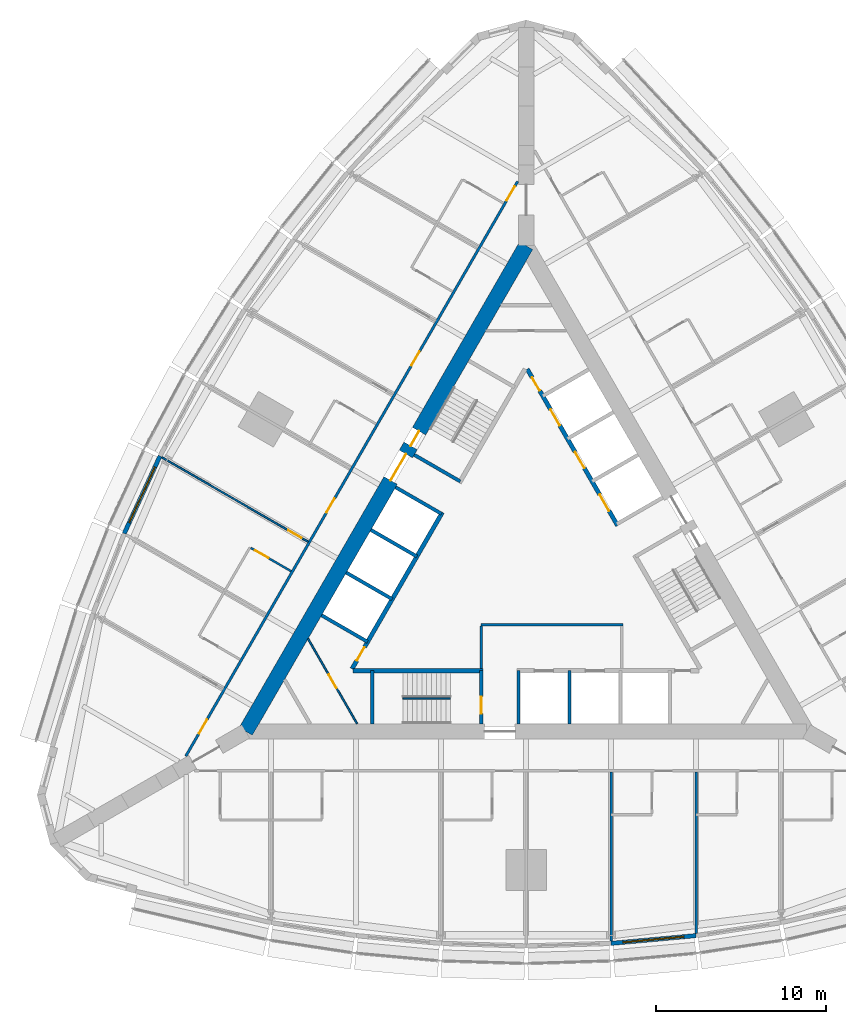
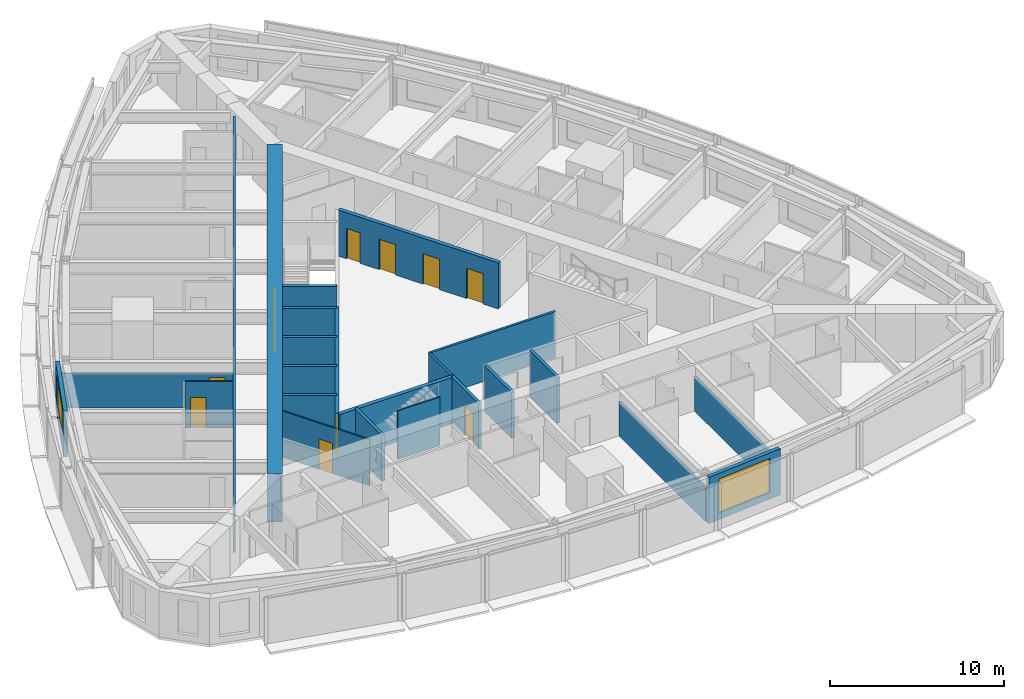
# One storey, part 9 of 14: 24 walls, 15 doors, 2 windows, 17 openings.
"""IFC4 building model written with IfcOpenShell, lengths in metres."""

from ifc_helpers import new_model, si_unit, direction, frame, frame_2d, origin, place, context, subcontext, project, spatial, rectangle, extrude, material, layer, layer_set, type_object, element, fill, save


model = new_model("IFC4")

# Units and contexts
model_context = context("Model", 3, precision=1e-05, world=origin(), true_north=direction((0.0, 1.0)))
body_context = subcontext(model_context, "Body", "Model", "MODEL_VIEW")
ifc_project = project(units=[si_unit("LENGTHUNIT", "METRE"), si_unit("AREAUNIT", "SQUARE_METRE"), si_unit("VOLUMEUNIT", "CUBIC_METRE"), si_unit("PLANEANGLEUNIT", "RADIAN"), si_unit("MASSUNIT", "GRAM", prefix="KILO")], contexts=[model_context])

# Site, building, storey
site_placement = place(None, origin())
site = spatial("IfcSite", under=ifc_project, at=site_placement, CompositionType="ELEMENT")
building_placement = place(site_placement, origin())
building = spatial("IfcBuilding", under=site, at=building_placement, Name="Trikona Tower", CompositionType="ELEMENT")
storey_placement = place(building_placement, frame((0.0, 0.0, 86.300048828125)))
storey = spatial("IfcBuildingStorey", under=building, at=storey_placement, Name="L22", CompositionType="ELEMENT", Elevation=86.300048828125)

# Wall, opening, door
ifc_material_1 = material(Name="Metal stud and cement board", Category="gypsum")
ifc_layer_1 = layer(ifc_material_1, 0.1201171875)
ifc_layer_set_1 = layer_set([ifc_layer_1], Name="Bathroom wall 120")
wall_type_1 = type_object("IfcWallType", Name="Bathroom wall 120", PredefinedType="PLUMBINGWALL", material=ifc_layer_set_1)
wall_1_placement = place(storey_placement, frame((-13.82861328125, -0.09912109375, 0.0), z_axis=(0.0, 0.0, 1.0), x_axis=(-0.865997131366, 0.500048966069, 0.0)))
wall_1 = element("IfcWall", 1, at=wall_1_placement, inside=storey, type_object=wall_type_1, Name="Bathroom wall 2215.1", PredefinedType="PLUMBINGWALL", context=body_context, shape_type="SweptSolid", body=[
    extrude(rectangle(XDim=2.739990234375, YDim=0.1201171875, at=frame_2d((1.3701171875, 0.0))), origin(), (0.0, 0.0, 1.0), 3.23486328125),
])
opening_1_placement = place(wall_1_placement, frame((1.550048828125, 0.0, 0.0)))
opening_1 = element("IfcOpeningElement", 2, at=opening_1_placement, cuts=wall_1, Name="Opening D2", PredefinedType="OPENING", context=body_context, shape_type="SweptSolid", body=[
    extrude(rectangle(XDim=0.89990234375, YDim=2.1298828125, at=frame_2d((0.449951171875, 1.06494140625))), frame((0.0, 0.070068359375, 0.0), z_axis=(0.0, -1.0, 0.0), x_axis=(1.0, 0.0, 0.0)), (0.0, 0.0, 1.0), 0.14013671875),
])
ifc_material_2 = material(Name="Steel door frame with solid-core timber leaf", Category="steel")
door_type_1 = type_object("IfcDoorType", Name="Bathroom door 900x2130", OperationType="SLIDING_TO_LEFT", PredefinedType="DOOR", material=ifc_material_2)
door_1_placement = place(opening_1_placement, origin())
door_1 = element("IfcDoor", 3, at=door_1_placement, inside=storey, type_object=door_type_1, Name="Bathroom door 2215.1", OperationType="SLIDING_TO_LEFT", OverallHeight=2.1298828125, OverallWidth=0.89990234375, PredefinedType="DOOR", context=body_context, shape_type="SweptSolid", body=[
    extrude(rectangle(XDim=0.89990234375, YDim=2.1298828125, at=frame_2d((0.449951171875, 1.06494140625))), frame((0.0, 0.02490234375, 0.0), z_axis=(0.0, -1.0, 0.0), x_axis=(1.0, 0.0, 0.0)), (0.0, 0.0, 1.0), 0.050048828125),
])
fill(opening_1, door_1)

# Wall, openings, doors
ifc_material_3 = material(Name="Concrete f'c 10000 psi", Category="concrete")
ifc_layer_2 = layer(ifc_material_3, 0.89990234375)
ifc_layer_set_2 = layer_set([ifc_layer_2], Name="Core wall 900")
wall_type_2 = type_object("IfcWallType", Name="Core wall 900", PredefinedType="SHEAR", material=ifc_layer_set_2)
wall_2_placement = place(storey_placement, frame((0.0, 19.052490234375, 0.0), z_axis=(0.0, 0.0, 1.0), x_axis=(-0.499999749417, -0.866025548458, 0.0)))
wall_2 = element("IfcWall", 4, at=wall_2_placement, inside=storey, type_object=wall_type_2, Name="Core wall C", PredefinedType="SHEAR", context=body_context, shape_type="SweptSolid", body=[
    extrude(rectangle(XDim=33.0, YDim=0.89990234375, at=frame_2d((16.5, 0.0))), origin(), (0.0, 0.0, 1.0), 3.39990234375),
])
opening_2_placement = place(wall_2_placement, frame((14.14990234375, 0.0, 0.0)))
opening_2 = element("IfcOpeningElement", 5, at=opening_2_placement, cuts=wall_2, Name="Opening D6", PredefinedType="OPENING", context=body_context, shape_type="SweptSolid", body=[
    extrude(rectangle(XDim=1.800048828125, YDim=2.1298828125, at=frame_2d((0.89990234375, 1.06494140625))), frame((0.0, 0.4599609375, 0.0), z_axis=(0.0, -1.0, 0.0), x_axis=(1.0, 0.0, 0.0)), (0.0, 0.0, 1.0), 0.919921875),
])
opening_3_placement = place(wall_2_placement, frame((12.60009765625, 0.0, 0.0)))
opening_3 = element("IfcOpeningElement", 6, at=opening_3_placement, cuts=wall_2, Name="Opening D5", PredefinedType="OPENING", context=body_context, shape_type="SweptSolid", body=[
    extrude(rectangle(XDim=1.0, YDim=2.1298828125, at=frame_2d((0.5, 1.06494140625))), frame((0.0, 0.4599609375, 0.0), z_axis=(0.0, -1.0, 0.0), x_axis=(1.0, 0.0, 0.0)), (0.0, 0.0, 1.0), 0.919921875),
])
ifc_material_4 = material(Name="Hollow metal door and frame", Category="steel")
door_type_2 = type_object("IfcDoorType", Name="Lobby door pair 1800x2130", OperationType="DOUBLE_DOOR_SINGLE_SWING", PredefinedType="DOOR", material=ifc_material_4)
door_2_placement = place(opening_2_placement, origin())
door_2 = element("IfcDoor", 7, at=door_2_placement, inside=storey, type_object=door_type_2, Name="Lift lobby door C", OperationType="DOUBLE_DOOR_SINGLE_SWING", OverallHeight=2.1298828125, OverallWidth=1.800048828125, PredefinedType="DOOR", context=body_context, shape_type="SweptSolid", body=[
    extrude(rectangle(XDim=1.800048828125, YDim=2.1298828125, at=frame_2d((0.89990234375, 1.06494140625))), frame((0.0, 0.02490234375, 0.0), z_axis=(0.0, -1.0, 0.0), x_axis=(1.0, 0.0, 0.0)), (0.0, 0.0, 1.0), 0.050048828125),
])
fill(opening_2, door_2)
ifc_material_5 = material(Name="Hollow metal door and frame", Category="steel")
door_type_3 = type_object("IfcDoorType", Name="Stair door 1000x2130", OperationType="SINGLE_SWING_LEFT", PredefinedType="DOOR", material=ifc_material_5)
door_3_placement = place(opening_3_placement, origin())
door_3 = element("IfcDoor", 8, at=door_3_placement, inside=storey, type_object=door_type_3, Name="Stair C door", OperationType="SINGLE_SWING_RIGHT", OverallHeight=2.1298828125, OverallWidth=1.0, PredefinedType="DOOR", context=body_context, shape_type="SweptSolid", body=[
    extrude(rectangle(XDim=1.0, YDim=2.1298828125, at=frame_2d((0.5, 1.06494140625))), frame((0.0, 0.02490234375, 0.0), z_axis=(0.0, -1.0, 0.0), x_axis=(1.0, 0.0, 0.0)), (0.0, 0.0, 1.0), 0.050048828125),
])
fill(opening_3, door_3)

ifc_material_6 = material(Name="Metal stud and gypsum board, 1-hour", Category="gypsum")
ifc_layer_3 = layer(ifc_material_6, 0.14990234375)
ifc_layer_set_3 = layer_set([ifc_layer_3], Name="Corridor wall 150")
wall_type_3 = type_object("IfcWallType", Name="Corridor wall 150", PredefinedType="PARTITIONING", material=ifc_layer_set_3)
wall_3_placement = place(storey_placement, frame((-0.5, 22.83642578125, 0.0), z_axis=(0.0, 0.0, 1.0), x_axis=(-0.500001677587, -0.866024435227, 0.0)))
wall_3 = element("IfcWall", 9, at=wall_3_placement, inside=storey, type_object=wall_type_3, Name="Corridor wall L22-3", PredefinedType="PARTITIONING", context=body_context, shape_type="SweptSolid", body=[
    extrude(rectangle(XDim=39.053955078125, YDim=0.14990234375, at=frame_2d((19.52685546875, 0.0))), origin(), (0.0, 0.0, 1.0), 3.23486328125),
])
opening_4_placement = place(wall_3_placement, frame((0.35205078125, 0.0, 0.0)))
opening_4 = element("IfcOpeningElement", 10, at=opening_4_placement, cuts=wall_3, Name="Opening D1", PredefinedType="OPENING", context=body_context, shape_type="SweptSolid", body=[
    extrude(rectangle(XDim=0.949951171875, YDim=2.1298828125, at=frame_2d((0.47509765625, 1.06494140625))), frame((0.0, 0.0849609375, 0.0), z_axis=(0.0, -1.0, 0.0), x_axis=(1.0, 0.0, 0.0)), (0.0, 0.0, 1.0), 0.169921875),
])
opening_5_placement = place(wall_3_placement, frame((11.552001953125, 0.0, 0.0)))
opening_5 = element("IfcOpeningElement", 11, at=opening_5_placement, cuts=wall_3, Name="Opening D1", PredefinedType="OPENING", context=body_context, shape_type="SweptSolid", body=[
    extrude(rectangle(XDim=0.949951171875, YDim=2.1298828125, at=frame_2d((0.47509765625, 1.06494140625))), frame((0.0, 0.0849609375, 0.0), z_axis=(0.0, -1.0, 0.0), x_axis=(1.0, 0.0, 0.0)), (0.0, 0.0, 1.0), 0.169921875),
])
opening_6_placement = place(wall_3_placement, frame((21.552001953125, 0.0, 0.0)))
opening_6 = element("IfcOpeningElement", 12, at=opening_6_placement, cuts=wall_3, Name="Opening D1", PredefinedType="OPENING", context=body_context, shape_type="SweptSolid", body=[
    extrude(rectangle(XDim=0.949951171875, YDim=2.1298828125, at=frame_2d((0.47509765625, 1.06494140625))), frame((0.0, 0.0849609375, 0.0), z_axis=(0.0, -1.0, 0.0), x_axis=(1.0, 0.0, 0.0)), (0.0, 0.0, 1.0), 0.169921875),
])
opening_7_placement = place(wall_3_placement, frame((36.545654296875, 0.0, 0.0)))
opening_7 = element("IfcOpeningElement", 13, at=opening_7_placement, cuts=wall_3, Name="Opening D1", PredefinedType="OPENING", context=body_context, shape_type="SweptSolid", body=[
    extrude(rectangle(XDim=0.949951171875, YDim=2.1298828125, at=frame_2d((0.47509765625, 1.06494140625))), frame((0.0, 0.0849609375, 0.0), z_axis=(0.0, -1.0, 0.0), x_axis=(1.0, 0.0, 0.0)), (0.0, 0.0, 1.0), 0.169921875),
])
ifc_material_7 = material(Name="Steel door frame with solid-core timber leaf", Category="steel")
door_type_4 = type_object("IfcDoorType", Name="Guest room door 950x2130", OperationType="SINGLE_SWING_LEFT", PredefinedType="DOOR", material=ifc_material_7)
door_4_placement = place(opening_4_placement, origin())
door_4 = element("IfcDoor", 14, at=door_4_placement, inside=storey, type_object=door_type_4, Name="Room door 2213", OperationType="SINGLE_SWING_LEFT", OverallHeight=2.1298828125, OverallWidth=0.949951171875, PredefinedType="DOOR", context=body_context, shape_type="SweptSolid", body=[
    extrude(rectangle(XDim=0.949951171875, YDim=2.1298828125, at=frame_2d((0.47509765625, 1.06494140625))), frame((0.0, 0.02490234375, 0.0), z_axis=(0.0, -1.0, 0.0), x_axis=(1.0, 0.0, 0.0)), (0.0, 0.0, 1.0), 0.050048828125),
])
fill(opening_4, door_4)
door_5_placement = place(opening_5_placement, origin())
door_5 = element("IfcDoor", 15, at=door_5_placement, inside=storey, type_object=door_type_4, Name="Room door 2214", OperationType="SINGLE_SWING_RIGHT", OverallHeight=2.1298828125, OverallWidth=0.949951171875, PredefinedType="DOOR", context=body_context, shape_type="SweptSolid", body=[
    extrude(rectangle(XDim=0.949951171875, YDim=2.1298828125, at=frame_2d((0.47509765625, 1.06494140625))), frame((0.0, 0.02490234375, 0.0), z_axis=(0.0, -1.0, 0.0), x_axis=(1.0, 0.0, 0.0)), (0.0, 0.0, 1.0), 0.050048828125),
])
fill(opening_5, door_5)
door_6_placement = place(opening_6_placement, origin())
door_6 = element("IfcDoor", 16, at=door_6_placement, inside=storey, type_object=door_type_4, Name="Room door 2215", OperationType="SINGLE_SWING_LEFT", OverallHeight=2.1298828125, OverallWidth=0.949951171875, PredefinedType="DOOR", context=body_context, shape_type="SweptSolid", body=[
    extrude(rectangle(XDim=0.949951171875, YDim=2.1298828125, at=frame_2d((0.47509765625, 1.06494140625))), frame((0.0, 0.02490234375, 0.0), z_axis=(0.0, -1.0, 0.0), x_axis=(1.0, 0.0, 0.0)), (0.0, 0.0, 1.0), 0.050048828125),
])
fill(opening_6, door_6)
door_7_placement = place(opening_7_placement, origin())
door_7 = element("IfcDoor", 17, at=door_7_placement, inside=storey, type_object=door_type_4, Name="Room door 2216", OperationType="SINGLE_SWING_RIGHT", OverallHeight=2.1298828125, OverallWidth=0.949951171875, PredefinedType="DOOR", context=body_context, shape_type="SweptSolid", body=[
    extrude(rectangle(XDim=0.949951171875, YDim=2.1298828125, at=frame_2d((0.47509765625, 1.06494140625))), frame((0.0, 0.02490234375, 0.0), z_axis=(0.0, -1.0, 0.0), x_axis=(1.0, 0.0, 0.0)), (0.0, 0.0, 1.0), 0.050048828125),
])
fill(opening_7, door_7)

# Wall
ifc_material_8 = material(Name="Concrete f'c 8000 psi", Category="concrete")
ifc_layer_4 = layer(ifc_material_8, 0.25)
ifc_layer_set_4 = layer_set([ifc_layer_4], Name="Hub wall 250")
wall_type_4 = type_object("IfcWallType", Name="Hub wall 250", PredefinedType="SOLIDWALL", material=ifc_layer_set_4)
wall_4_placement = place(storey_placement, frame((-10.182861328125, -5.951416015625, 0.0), z_axis=(0.0, 0.0, 1.0), x_axis=(1.0, 0.0, 0.0)))
element("IfcWall", 18, at=wall_4_placement, inside=storey, type_object=wall_type_4, Name="Lift lobby wall A1", PredefinedType="SOLIDWALL", context=body_context, shape_type="SweptSolid", body=[
    extrude(rectangle(XDim=7.6328125, YDim=0.25, at=frame_2d((3.81640625, 0.0))), origin(), (0.0, 0.0, 1.0), 3.23486328125),
])

# Wall, openings, doors
wall_5_placement = place(storey_placement, frame((5.37890625, 2.5859375, 0.0), z_axis=(0.0, 0.0, 1.0), x_axis=(-0.500001375892, 0.866024609411, 0.0)))
wall_5 = element("IfcWall", 19, at=wall_5_placement, inside=storey, type_object=wall_type_4, Name="Lift lobby wall B2", PredefinedType="SOLIDWALL", context=body_context, shape_type="SweptSolid", body=[
    extrude(rectangle(XDim=10.6328125, YDim=0.25, at=frame_2d((5.31640625, 0.0))), origin(), (0.0, 0.0, 1.0), 3.23486328125),
])
opening_8_placement = place(wall_5_placement, frame((9.1640625, 0.0, 0.0)))
opening_8 = element("IfcOpeningElement", 20, at=opening_8_placement, cuts=wall_5, Name="Opening D14", PredefinedType="OPENING", context=body_context, shape_type="SweptSolid", body=[
    extrude(rectangle(XDim=0.89990234375, YDim=2.1298828125, at=frame_2d((0.449951171875, 1.06494140625))), frame((0.0, 0.135009765625, 0.0), z_axis=(0.0, -1.0, 0.0), x_axis=(1.0, 0.0, 0.0)), (0.0, 0.0, 1.0), 0.27001953125),
])
opening_9_placement = place(wall_5_placement, frame((1.0, 0.0, 0.0)))
opening_9 = element("IfcOpeningElement", 21, at=opening_9_placement, cuts=wall_5, Name="Opening LD", PredefinedType="OPENING", context=body_context, shape_type="SweptSolid", body=[
    extrude(rectangle(XDim=1.10009765625, YDim=2.1298828125, at=frame_2d((0.550048828125, 1.06494140625))), frame((0.0, 0.135009765625, 0.0), z_axis=(0.0, -1.0, 0.0), x_axis=(1.0, 0.0, 0.0)), (0.0, 0.0, 1.0), 0.27001953125),
])
opening_10_placement = place(wall_5_placement, frame((3.89990234375, 0.0, 0.0)))
opening_10 = element("IfcOpeningElement", 22, at=opening_10_placement, cuts=wall_5, Name="Opening LD", PredefinedType="OPENING", context=body_context, shape_type="SweptSolid", body=[
    extrude(rectangle(XDim=1.10009765625, YDim=2.1298828125, at=frame_2d((0.550048828125, 1.06494140625))), frame((0.0, 0.135009765625, 0.0), z_axis=(0.0, -1.0, 0.0), x_axis=(1.0, 0.0, 0.0)), (0.0, 0.0, 1.0), 0.27001953125),
])
opening_11_placement = place(wall_5_placement, frame((6.800048828125, 0.0, 0.0)))
opening_11 = element("IfcOpeningElement", 23, at=opening_11_placement, cuts=wall_5, Name="Opening LD", PredefinedType="OPENING", context=body_context, shape_type="SweptSolid", body=[
    extrude(rectangle(XDim=1.10009765625, YDim=2.1298828125, at=frame_2d((0.550048828125, 1.06494140625))), frame((0.0, 0.135009765625, 0.0), z_axis=(0.0, -1.0, 0.0), x_axis=(1.0, 0.0, 0.0)), (0.0, 0.0, 1.0), 0.27001953125),
])
ifc_material_9 = material(Name="Stainless steel lift landing door", Category="steel")
door_type_5 = type_object("IfcDoorType", Name="Lift landing door 1100x2130", OperationType="DOUBLE_DOOR_SLIDING", PredefinedType="USERDEFINED", material=ifc_material_9)
door_8_placement = place(opening_9_placement, origin())
door_8 = element("IfcDoor", 24, at=door_8_placement, inside=storey, type_object=door_type_5, Name="Lift landing door L1-1", ObjectType="LIFT LANDING DOOR", OperationType="DOUBLE_DOOR_SLIDING", OverallHeight=2.1298828125, OverallWidth=1.10009765625, PredefinedType="USERDEFINED", context=body_context, shape_type="SweptSolid", body=[
    extrude(rectangle(XDim=1.10009765625, YDim=2.1298828125, at=frame_2d((0.550048828125, 1.06494140625))), frame((0.0, 0.02490234375, 0.0), z_axis=(0.0, -1.0, 0.0), x_axis=(1.0, 0.0, 0.0)), (0.0, 0.0, 1.0), 0.050048828125),
])
fill(opening_9, door_8)
door_9_placement = place(opening_10_placement, origin())
door_9 = element("IfcDoor", 25, at=door_9_placement, inside=storey, type_object=door_type_5, Name="Lift landing door L1-2", ObjectType="LIFT LANDING DOOR", OperationType="DOUBLE_DOOR_SLIDING", OverallHeight=2.1298828125, OverallWidth=1.10009765625, PredefinedType="USERDEFINED", context=body_context, shape_type="SweptSolid", body=[
    extrude(rectangle(XDim=1.10009765625, YDim=2.1298828125, at=frame_2d((0.550048828125, 1.06494140625))), frame((0.0, 0.02490234375, 0.0), z_axis=(0.0, -1.0, 0.0), x_axis=(1.0, 0.0, 0.0)), (0.0, 0.0, 1.0), 0.050048828125),
])
fill(opening_10, door_9)
door_10_placement = place(opening_11_placement, origin())
door_10 = element("IfcDoor", 26, at=door_10_placement, inside=storey, type_object=door_type_5, Name="Lift landing door L1-3", ObjectType="LIFT LANDING DOOR", OperationType="DOUBLE_DOOR_SLIDING", OverallHeight=2.1298828125, OverallWidth=1.10009765625, PredefinedType="USERDEFINED", context=body_context, shape_type="SweptSolid", body=[
    extrude(rectangle(XDim=1.10009765625, YDim=2.1298828125, at=frame_2d((0.550048828125, 1.06494140625))), frame((0.0, 0.02490234375, 0.0), z_axis=(0.0, -1.0, 0.0), x_axis=(1.0, 0.0, 0.0)), (0.0, 0.0, 1.0), 0.050048828125),
])
fill(opening_11, door_10)
ifc_material_10 = material(Name="Hollow metal door and frame", Category="steel")
door_type_6 = type_object("IfcDoorType", Name="Service room door 900x2130", OperationType="SINGLE_SWING_LEFT", PredefinedType="DOOR", material=ifc_material_10)
door_11_placement = place(opening_8_placement, origin())
door_11 = element("IfcDoor", 27, at=door_11_placement, inside=storey, type_object=door_type_6, Name="Door Linen store LIN", OperationType="SINGLE_SWING_RIGHT", OverallHeight=2.1298828125, OverallWidth=0.89990234375, PredefinedType="DOOR", context=body_context, shape_type="SweptSolid", body=[
    extrude(rectangle(XDim=0.89990234375, YDim=2.1298828125, at=frame_2d((0.449951171875, 1.06494140625))), frame((0.0, 0.02490234375, 0.0), z_axis=(0.0, -1.0, 0.0), x_axis=(1.0, 0.0, 0.0)), (0.0, 0.0, 1.0), 0.050048828125),
])
fill(opening_8, door_11)

# Wall, opening, door
wall_6_placement = place(storey_placement, frame((-4.928955078125, 3.365478515625, 0.0), z_axis=(0.0, 0.0, 1.0), x_axis=(-0.499991433582, -0.866030349552, 0.0)))
wall_6 = element("IfcWall", 28, at=wall_6_placement, inside=storey, type_object=wall_type_4, Name="Lift lobby wall C2", PredefinedType="SOLIDWALL", context=body_context, shape_type="SweptSolid", body=[
    extrude(rectangle(XDim=10.633056640625, YDim=0.25, at=frame_2d((5.31640625, 0.0))), origin(), (0.0, 0.0, 1.0), 3.23486328125),
])
opening_12_placement = place(wall_6_placement, frame((9.1640625, 0.0, 0.0)))
opening_12 = element("IfcOpeningElement", 29, at=opening_12_placement, cuts=wall_6, Name="Opening D14", PredefinedType="OPENING", context=body_context, shape_type="SweptSolid", body=[
    extrude(rectangle(XDim=0.89990234375, YDim=2.1298828125, at=frame_2d((0.449951171875, 1.06494140625))), frame((0.0, 0.135009765625, 0.0), z_axis=(0.0, -1.0, 0.0), x_axis=(1.0, 0.0, 0.0)), (0.0, 0.0, 1.0), 0.27001953125),
])
door_12_placement = place(opening_12_placement, origin())
door_12 = element("IfcDoor", 30, at=door_12_placement, inside=storey, type_object=door_type_6, Name="Door Ice and vending ICE", OperationType="SINGLE_SWING_RIGHT", OverallHeight=2.1298828125, OverallWidth=0.89990234375, PredefinedType="DOOR", context=body_context, shape_type="SweptSolid", body=[
    extrude(rectangle(XDim=0.89990234375, YDim=2.1298828125, at=frame_2d((0.449951171875, 1.06494140625))), frame((0.0, 0.02490234375, 0.0), z_axis=(0.0, -1.0, 0.0), x_axis=(1.0, 0.0, 0.0)), (0.0, 0.0, 1.0), 0.050048828125),
])
fill(opening_12, door_12)

# Wall, opening, window
ifc_material_11 = material(Name="Insulated precast concrete spandrel panel", Category="concrete")
ifc_layer_5 = layer(ifc_material_11, 0.25)
ifc_layer_set_5 = layer_set([ifc_layer_5], Name="Inner skin wall 250")
wall_type_5 = type_object("IfcWallType", Name="Inner skin wall 250", PredefinedType="STANDARD", material=ifc_layer_set_5)
wall_7_placement = place(storey_placement, frame((4.988525390625, -21.995849609375, 0.0), z_axis=(0.0, 0.0, 1.0), x_axis=(0.995857256774, 0.090930325692, 0.0)))
wall_7 = element("IfcWall", 31, at=wall_7_placement, inside=storey, type_object=wall_type_5, Name="External wall L22-05", PredefinedType="STANDARD", context=body_context, shape_type="SweptSolid", body=[
    extrude(rectangle(XDim=5.020751953125, YDim=0.25, at=frame_2d((2.51025390625, 0.0))), origin(), (0.0, 0.0, 1.0), 3.23486328125),
])
opening_13_placement = place(wall_7_placement, frame((0.71044921875, 0.0, 0.449951171875)))
opening_13 = element("IfcOpeningElement", 32, at=opening_13_placement, cuts=wall_7, Name="Opening W3624", PredefinedType="OPENING", context=body_context, shape_type="SweptSolid", body=[
    extrude(rectangle(XDim=3.60009765625, YDim=2.39990234375, at=frame_2d((1.800048828125, 1.199951171875))), frame((0.0, 0.135009765625, 0.0), z_axis=(0.0, -1.0, 0.0), x_axis=(1.0, 0.0, 0.0)), (0.0, 0.0, 1.0), 0.27001953125),
])
ifc_material_12 = material(Name="Aluminium-framed double glazing", Category="aluminium")
window_type = type_object("IfcWindowType", Name="Window 3600x2400", PartitioningType="SINGLE_PANEL", PredefinedType="WINDOW", material=ifc_material_12)
window_1_placement = place(opening_13_placement, origin())
window_1 = element("IfcWindow", 33, at=window_1_placement, inside=storey, type_object=window_type, Name="Window 2204", OverallHeight=2.39990234375, OverallWidth=3.60009765625, PartitioningType="SINGLE_PANEL", PredefinedType="WINDOW", context=body_context, shape_type="SweptSolid", body=[
    extrude(rectangle(XDim=3.60009765625, YDim=2.39990234375, at=frame_2d((1.800048828125, 1.199951171875))), frame((0.0, 0.030029296875, 0.0), z_axis=(0.0, -1.0, 0.0), x_axis=(1.0, 0.0, 0.0)), (0.0, 0.0, 1.0), 0.06005859375),
])
fill(opening_13, window_1)

wall_8_placement = place(storey_placement, frame((-21.543212890625, 6.677734375, 0.0), z_axis=(0.0, 0.0, 1.0), x_axis=(-0.419203100754, -0.907892482796, 0.0)))
wall_8 = element("IfcWall", 34, at=wall_8_placement, inside=storey, type_object=wall_type_5, Name="External wall L22-29", PredefinedType="STANDARD", context=body_context, shape_type="SweptSolid", body=[
    extrude(rectangle(XDim=5.020751953125, YDim=0.25, at=frame_2d((2.51025390625, 0.0))), origin(), (0.0, 0.0, 1.0), 3.23486328125),
])
opening_14_placement = place(wall_8_placement, frame((0.71044921875, 0.0, 0.449951171875)))
opening_14 = element("IfcOpeningElement", 35, at=opening_14_placement, cuts=wall_8, Name="Opening W3624", PredefinedType="OPENING", context=body_context, shape_type="SweptSolid", body=[
    extrude(rectangle(XDim=3.60009765625, YDim=2.39990234375, at=frame_2d((1.800048828125, 1.199951171875))), frame((0.0, 0.135009765625, 0.0), z_axis=(0.0, -1.0, 0.0), x_axis=(1.0, 0.0, 0.0)), (0.0, 0.0, 1.0), 0.27001953125),
])
window_2_placement = place(opening_14_placement, origin())
window_2 = element("IfcWindow", 36, at=window_2_placement, inside=storey, type_object=window_type, Name="Window 2215.1", OverallHeight=2.39990234375, OverallWidth=3.60009765625, PartitioningType="SINGLE_PANEL", PredefinedType="WINDOW", context=body_context, shape_type="SweptSolid", body=[
    extrude(rectangle(XDim=3.60009765625, YDim=2.39990234375, at=frame_2d((1.800048828125, 1.199951171875))), frame((0.0, 0.030029296875, 0.0), z_axis=(0.0, -1.0, 0.0), x_axis=(1.0, 0.0, 0.0)), (0.0, 0.0, 1.0), 0.06005859375),
])
fill(opening_14, window_2)

# Walls
ifc_material_13 = material(Name="Metal stud and gypsum board, 2-hour shaft wall", Category="gypsum")
ifc_layer_6 = layer(ifc_material_13, 0.14990234375)
ifc_layer_set_6 = layer_set([ifc_layer_6], Name="Lobby wall 150")
wall_type_6 = type_object("IfcWallType", Name="Lobby wall 150", PredefinedType="PARTITIONING", material=ifc_layer_set_6)
wall_9_placement = place(storey_placement, frame((-2.64990234375, -3.251220703125, 0.0), z_axis=(0.0, 0.0, 1.0), x_axis=(1.0, 0.0, 0.0)))
element("IfcWall", 37, at=wall_9_placement, inside=storey, type_object=wall_type_6, Name="Fire service lift lobby wall 1", PredefinedType="PARTITIONING", context=body_context, shape_type="SweptSolid", body=[
    extrude(rectangle(XDim=8.349853515625, YDim=0.14990234375, at=frame_2d((4.1748046875, 0.0))), origin(), (0.0, 0.0, 1.0), 3.23486328125),
])
wall_10_placement = place(storey_placement, frame((-2.64990234375, -5.826416015625, 0.0), z_axis=(0.0, 0.0, 1.0), x_axis=(0.0, 1.0, 0.0)))
element("IfcWall", 38, at=wall_10_placement, inside=storey, type_object=wall_type_6, Name="Fire service lift lobby wall 2", PredefinedType="PARTITIONING", context=body_context, shape_type="SweptSolid", body=[
    extrude(rectangle(XDim=2.5, YDim=0.14990234375, at=frame_2d((1.25, 0.0))), origin(), (0.0, 0.0, 1.0), 3.23486328125),
])
ifc_material_14 = material(Name="Metal stud and gypsum board, 1-hour acoustic", Category="gypsum")
ifc_layer_7 = layer(ifc_material_14, 0.14990234375)
ifc_layer_set_7 = layer_set([ifc_layer_7], Name="Party wall 150")
wall_type_7 = type_object("IfcWallType", Name="Party wall 150", PredefinedType="PARTITIONING", material=ifc_layer_set_7)
wall_11_placement = place(storey_placement, frame((5.0, -11.92626953125, 0.0), z_axis=(0.0, 0.0, 1.0), x_axis=(0.0, -1.0, 0.0)))
element("IfcWall", 39, at=wall_11_placement, inside=storey, type_object=wall_type_7, Name="Partition L22 F1 u5", PredefinedType="PARTITIONING", context=body_context, shape_type="SweptSolid", body=[
    extrude(rectangle(XDim=9.943115234375, YDim=0.14990234375, at=frame_2d((4.9716796875, 0.0))), origin(), (0.0, 0.0, 1.0), 2.38916015625),
])
wall_12_placement = place(storey_placement, frame((10.0, -11.92626953125, 0.0), z_axis=(0.0, 0.0, 1.0), x_axis=(0.0, -1.0, 0.0)))
element("IfcWall", 40, at=wall_12_placement, inside=storey, type_object=wall_type_7, Name="Partition L22 F1 u10", PredefinedType="PARTITIONING", context=body_context, shape_type="SweptSolid", body=[
    extrude(rectangle(XDim=9.484619140625, YDim=0.14990234375, at=frame_2d((4.7421875, 0.0))), origin(), (0.0, 0.0, 1.0), 2.38916015625),
])
ifc_material_15 = material(Name="Concrete f'c 8000 psi", Category="concrete")
ifc_layer_8 = layer(ifc_material_15, 0.199951171875)
ifc_layer_set_8 = layer_set([ifc_layer_8], Name="Shaft wall 200")
wall_type_8 = type_object("IfcWallType", Name="Shaft wall 200", PredefinedType="SOLIDWALL", material=ifc_layer_set_8)
for number, where, z_axis, x_axis, name in (
    (41, (-0.449951171875, -5.951416015625, 0.0), (0.0, 0.0, 1.0), (0.0, -1.0, 0.0), "Shaft wall A3"),
    (42, (2.550048828125, -5.951416015625, 0.0), (0.0, 0.0, 1.0), (0.0, -1.0, 0.0), "Shaft wall A4"),
    (43, (-4.97900390625, 3.27880859375, 0.0), (0.0, 0.0, 1.0), (-0.866022959057, 0.500004234368, 0.0), "Shaft wall C3"),
    (44, (-6.428955078125, 0.767333984375, 0.0), (0.0, 0.0, 1.0), (-0.866022959057, 0.500004234368, 0.0), "Shaft wall C4"),
    (45, (-7.87890625, -1.744140625, 0.0), (0.0, 0.0, 1.0), (-0.866022959057, 0.500004234368, 0.0), "Shaft wall C5"),
    (46, (-9.3291015625, -4.255615234375, 0.0), (0.0, 0.0, 1.0), (-0.866022959057, 0.500004234368, 0.0), "Shaft wall C6"),
):
    element("IfcWall", number, at=place(storey_placement, frame(where, z_axis=z_axis, x_axis=x_axis)), inside=storey, type_object=wall_type_8, Name=name, PredefinedType="SOLIDWALL", context=body_context, shape_type="SweptSolid", body=[
        extrude(rectangle(XDim=3.125, YDim=0.199951171875, at=frame_2d((1.5625, 0.0))), origin(), (0.0, 0.0, 1.0), 3.23486328125),
    ])
ifc_material_16 = material(Name="Concrete f'c 8000 psi", Category="concrete")
ifc_layer_9 = layer(ifc_material_16, 0.199951171875)
ifc_layer_set_9 = layer_set([ifc_layer_9], Name="Shaft wall 200 load-bearing")
wall_type_9 = type_object("IfcWallType", Name="Shaft wall 200 load-bearing", PredefinedType="SOLIDWALL", material=ifc_layer_set_9)
wall_13_placement = place(storey_placement, frame((-9.050048828125, -5.951416015625, 0.0), z_axis=(0.0, 0.0, 1.0), x_axis=(0.0, -1.0, 0.0)))
element("IfcWall", 47, at=wall_13_placement, inside=storey, type_object=wall_type_9, Name="Shaft wall A1", PredefinedType="SOLIDWALL", context=body_context, shape_type="SweptSolid", body=[
    extrude(rectangle(XDim=3.125, YDim=0.199951171875, at=frame_2d((1.5625, 0.0))), origin(), (0.0, 0.0, 1.0), 3.23486328125),
])

# Wall, opening, door
wall_14_placement = place(storey_placement, frame((-2.64990234375, -5.951416015625, 0.0), z_axis=(0.0, 0.0, 1.0), x_axis=(0.0, -1.0, 0.0)))
wall_14 = element("IfcWall", 48, at=wall_14_placement, inside=storey, type_object=wall_type_9, Name="Shaft wall A2", PredefinedType="SOLIDWALL", context=body_context, shape_type="SweptSolid", body=[
    extrude(rectangle(XDim=3.125, YDim=0.199951171875, at=frame_2d((1.5625, 0.0))), origin(), (0.0, 0.0, 1.0), 3.23486328125),
])
opening_15_placement = place(wall_14_placement, frame((1.52490234375, 0.0, 0.0)))
opening_15 = element("IfcOpeningElement", 49, at=opening_15_placement, cuts=wall_14, Name="Opening D5", PredefinedType="OPENING", context=body_context, shape_type="SweptSolid", body=[
    extrude(rectangle(XDim=1.0, YDim=2.1298828125, at=frame_2d((0.5, 1.06494140625))), frame((0.0, 0.10986328125, 0.0), z_axis=(0.0, -1.0, 0.0), x_axis=(1.0, 0.0, 0.0)), (0.0, 0.0, 1.0), 0.219970703125),
])
door_13_placement = place(opening_15_placement, origin())
door_13 = element("IfcDoor", 50, at=door_13_placement, inside=storey, type_object=door_type_3, Name="Stair A door", OperationType="SINGLE_SWING_RIGHT", OverallHeight=2.1298828125, OverallWidth=1.0, PredefinedType="DOOR", context=body_context, shape_type="SweptSolid", body=[
    extrude(rectangle(XDim=1.0, YDim=2.1298828125, at=frame_2d((0.5, 1.06494140625))), frame((0.0, 0.02490234375, 0.0), z_axis=(0.0, -1.0, 0.0), x_axis=(1.0, 0.0, 0.0)), (0.0, 0.0, 1.0), 0.050048828125),
])
fill(opening_15, door_13)

# Walls
wall_15_placement = place(storey_placement, frame((-3.87890625, 5.18408203125, 0.0), z_axis=(0.0, 0.0, 1.0), x_axis=(-0.866022959057, 0.500004234368, 0.0)))
element("IfcWall", 51, at=wall_15_placement, inside=storey, type_object=wall_type_9, Name="Shaft wall C2", PredefinedType="SOLIDWALL", context=body_context, shape_type="SweptSolid", body=[
    extrude(rectangle(XDim=3.125, YDim=0.199951171875, at=frame_2d((1.5625, 0.0))), origin(), (0.0, 0.0, 1.0), 3.23486328125),
])
ifc_material_17 = material(Name="Concrete f'c 5000 psi", Category="concrete")
ifc_layer_10 = layer(ifc_material_17, 0.10009765625)
ifc_layer_set_10 = layer_set([ifc_layer_10], Name="Stair spine wall 100")
wall_type_10 = type_object("IfcWallType", Name="Stair spine wall 100", PredefinedType="SOLIDWALL", material=ifc_layer_set_10)
wall_16_placement = place(storey_placement, frame((-7.2470703125, -7.576416015625, 0.0), z_axis=(0.0, 0.0, 1.0), x_axis=(1.0, 0.0, 0.0)))
element("IfcWall", 52, at=wall_16_placement, inside=storey, type_object=wall_type_10, Name="Stair A spine wall L22", PredefinedType="SOLIDWALL", context=body_context, shape_type="SweptSolid", body=[
    extrude(rectangle(XDim=2.794189453125, YDim=0.10009765625, at=frame_2d((1.39697265625, 0.0))), origin(), (0.0, 0.0, 1.0), 3.39990234375),
])

# Wall, opening, door
ifc_material_18 = material(Name="Metal stud and gypsum board, acoustic", Category="gypsum")
ifc_layer_11 = layer(ifc_material_18, 0.10009765625)
ifc_layer_set_11 = layer_set([ifc_layer_11], Name="Suite partition 100")
wall_type_11 = type_object("IfcWallType", Name="Suite partition 100", PredefinedType="PARTITIONING", material=ifc_layer_set_11)
wall_17_placement = place(storey_placement, frame((-12.82861328125, 1.633056640625, 0.0), z_axis=(0.0, 0.0, 1.0), x_axis=(-0.866026934769, 0.499997348248, 0.0)))
wall_17 = element("IfcWall", 53, at=wall_17_placement, inside=storey, type_object=wall_type_11, Name="Suite partition L22 F3 u5", PredefinedType="PARTITIONING", context=body_context, shape_type="SweptSolid", body=[
    extrude(rectangle(XDim=9.94287109375, YDim=0.10009765625, at=frame_2d((4.971435546875, 0.0))), origin(), (0.0, 0.0, 1.0), 2.38916015625),
])
opening_16_placement = place(wall_17_placement, frame((0.449951171875, 0.0, 0.0)))
opening_16 = element("IfcOpeningElement", 54, at=opening_16_placement, cuts=wall_17, Name="Opening D13", PredefinedType="OPENING", context=body_context, shape_type="SweptSolid", body=[
    extrude(rectangle(XDim=0.89990234375, YDim=2.1298828125, at=frame_2d((0.449951171875, 1.06494140625))), frame((0.0, 0.06005859375, 0.0), z_axis=(0.0, -1.0, 0.0), x_axis=(1.0, 0.0, 0.0)), (0.0, 0.0, 1.0), 0.1201171875),
])
ifc_material_19 = material(Name="Steel door frame with solid-core timber leaf", Category="steel")
door_type_7 = type_object("IfcDoorType", Name="Suite door 900x2130", OperationType="SINGLE_SWING_LEFT", PredefinedType="DOOR", material=ifc_material_19)
door_14_placement = place(opening_16_placement, origin())
door_14 = element("IfcDoor", 55, at=door_14_placement, inside=storey, type_object=door_type_7, Name="Suite door 2215", OperationType="SINGLE_SWING_LEFT", OverallHeight=2.1298828125, OverallWidth=0.89990234375, PredefinedType="DOOR", context=body_context, shape_type="SweptSolid", body=[
    extrude(rectangle(XDim=0.89990234375, YDim=2.1298828125, at=frame_2d((0.449951171875, 1.06494140625))), frame((0.0, 0.02490234375, 0.0), z_axis=(0.0, -1.0, 0.0), x_axis=(1.0, 0.0, 0.0)), (0.0, 0.0, 1.0), 0.050048828125),
])
fill(opening_16, door_14)

wall_18_placement = place(storey_placement, frame((-9.947021484375, -9.076416015625, 0.0), z_axis=(0.0, 0.0, 1.0), x_axis=(-0.500027479704, 0.866009537788, 0.0)))
wall_18 = element("IfcWall", 56, at=wall_18_placement, inside=storey, type_object=wall_type_11, Name="Store partition L22-RS3", PredefinedType="PARTITIONING", context=body_context, shape_type="SweptSolid", body=[
    extrude(rectangle(XDim=5.773681640625, YDim=0.10009765625, at=frame_2d((2.88671875, 0.0))), origin(), (0.0, 0.0, 1.0), 3.23486328125),
])
opening_17_placement = place(wall_18_placement, frame((2.436767578125, 0.0, 0.0)))
opening_17 = element("IfcOpeningElement", 57, at=opening_17_placement, cuts=wall_18, Name="Opening D15", PredefinedType="OPENING", context=body_context, shape_type="SweptSolid", body=[
    extrude(rectangle(XDim=0.89990234375, YDim=2.1298828125, at=frame_2d((0.449951171875, 1.06494140625))), frame((0.0, 0.06005859375, 0.0), z_axis=(0.0, -1.0, 0.0), x_axis=(1.0, 0.0, 0.0)), (0.0, 0.0, 1.0), 0.1201171875),
])
ifc_material_20 = material(Name="Steel door frame with solid-core timber leaf", Category="steel")
door_type_8 = type_object("IfcDoorType", Name="Store door 900x2130", OperationType="SINGLE_SWING_LEFT", PredefinedType="DOOR", material=ifc_material_20)
door_15_placement = place(opening_17_placement, origin())
door_15 = element("IfcDoor", 58, at=door_15_placement, inside=storey, type_object=door_type_8, Name="Door Storage STO", OperationType="SINGLE_SWING_RIGHT", OverallHeight=2.1298828125, OverallWidth=0.89990234375, PredefinedType="DOOR", context=body_context, shape_type="SweptSolid", body=[
    extrude(rectangle(XDim=0.89990234375, YDim=2.1298828125, at=frame_2d((0.449951171875, 1.06494140625))), frame((0.0, 0.02490234375, 0.0), z_axis=(0.0, -1.0, 0.0), x_axis=(1.0, 0.0, 0.0)), (0.0, 0.0, 1.0), 0.050048828125),
])
fill(opening_17, door_15)

save(model, "model.ifc")
